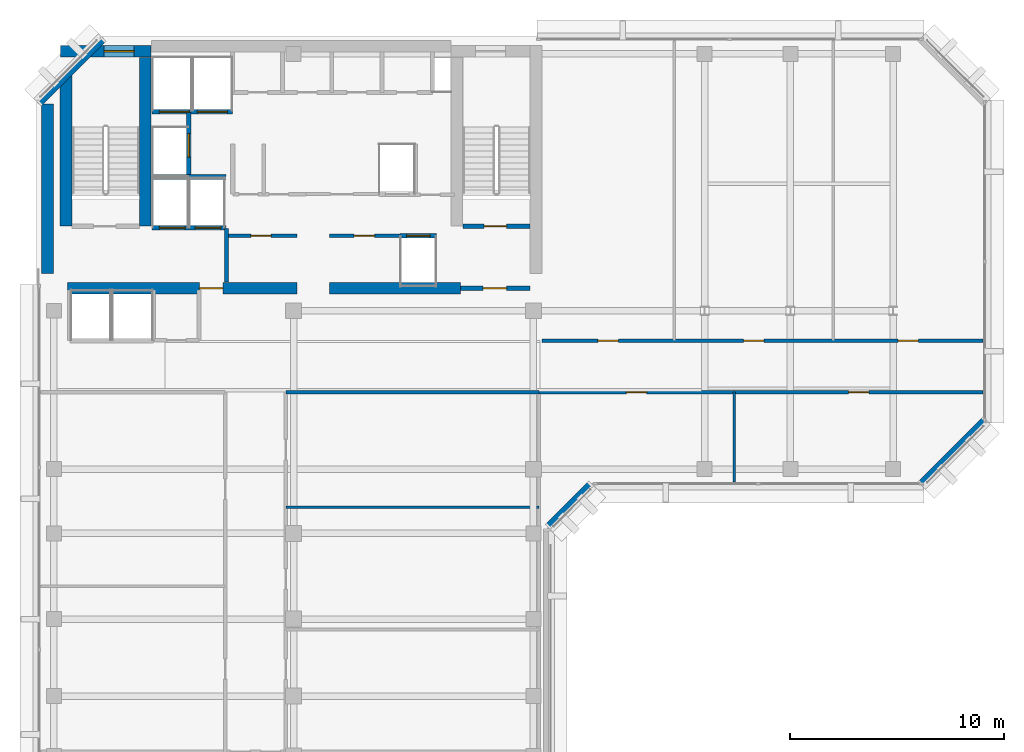
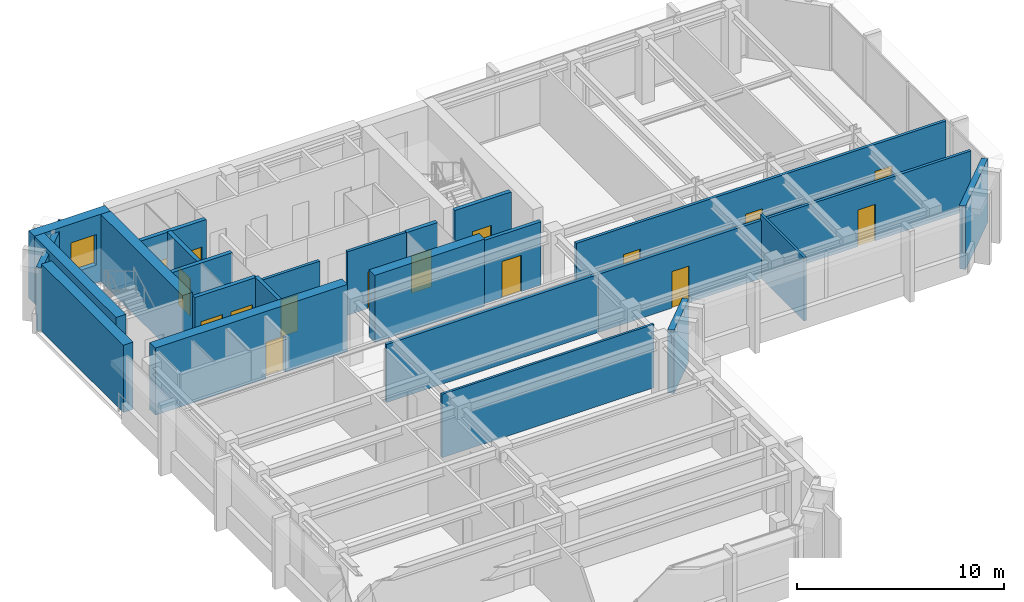
# One storey, part 7 of 11: 24 walls, 16 doors, 1 window, 17 openings.
"""IFC4 building model written with IfcOpenShell, lengths in metres."""

from ifc_helpers import new_model, si_unit, direction, frame, frame_2d, origin, place, context, subcontext, project, spatial, rectangle, extrude, material, layer, layer_set, type_object, element, fill, save


model = new_model("IFC4")

# Units and contexts
model_context = context("Model", 3, precision=1e-05, world=origin(), true_north=direction((0.0, 1.0)))
body_context = subcontext(model_context, "Body", "Model", "MODEL_VIEW")
ifc_project = project(units=[si_unit("LENGTHUNIT", "METRE"), si_unit("AREAUNIT", "SQUARE_METRE"), si_unit("VOLUMEUNIT", "CUBIC_METRE"), si_unit("PLANEANGLEUNIT", "RADIAN"), si_unit("MASSUNIT", "GRAM", prefix="KILO")], contexts=[model_context])

# Site, building, storey
site_placement = place(None, origin())
site = spatial("IfcSite", under=ifc_project, at=site_placement, CompositionType="ELEMENT")
building_placement = place(site_placement, origin())
building = spatial("IfcBuilding", under=site, at=building_placement, Name="Kefirva Bronze Tower", CompositionType="ELEMENT")
storey_placement = place(building_placement, frame((0.0, 0.0, 303.929931640625)))
storey = spatial("IfcBuildingStorey", under=building, at=storey_placement, Name="L74", CompositionType="ELEMENT", Elevation=303.929931640625)

# Walls
ifc_material_1 = material(Name="Gypsum acoustic partition")
ifc_layer_1 = layer(ifc_material_1, 0.1298828125, Name="Gypsum acoustic partition")
ifc_layer_set_1 = layer_set([ifc_layer_1], Name="Gypsum acoustic partition")
wall_type_1 = type_object("IfcWallType", Name="Acoustic Office Partition 130mm", PredefinedType="PARTITIONING", material=ifc_layer_set_1)
wall_1_placement = place(storey_placement, frame((11.639892578125, 24.02392578125, 0.0), z_axis=(0.0, 0.0, 1.0), x_axis=(1.0, 0.0, 0.0)))
element("IfcWall", 1, at=wall_1_placement, inside=storey, type_object=wall_type_1, Name="L74 Partition W-L74-SED2", PredefinedType="PARTITIONING", context=body_context, shape_type="SweptSolid", body=[
    extrude(rectangle(XDim=11.81005859375, YDim=0.1298828125, at=frame_2d((5.905029296875, 0.0))), origin(), (0.0, 0.0, 1.0), 3.739990234375),
])
wall_2_placement = place(storey_placement, frame((32.58447265625, 25.18994140625, 0.0), z_axis=(0.0, 0.0, 1.0), x_axis=(0.0, 1.0, 0.0)))
element("IfcWall", 2, at=wall_2_placement, inside=storey, type_object=wall_type_1, Name="L74 Partition W-L74-ESD1", PredefinedType="PARTITIONING", context=body_context, shape_type="SweptSolid", body=[
    extrude(rectangle(XDim=4.2099609375, YDim=0.1298828125, at=frame_2d((2.10498046875, 0.0))), origin(), (0.0, 0.0, 1.0), 3.739990234375),
])

# Wall, opening, door
ifc_layer_2 = layer(ifc_material_1, 0.14990234375, Name="Gypsum acoustic partition")
ifc_layer_set_2 = layer_set([ifc_layer_2], Name="Gypsum acoustic partition")
wall_type_2 = type_object("IfcWallType", Name="Executive Suite Partition 150mm", PredefinedType="PARTITIONING", material=ifc_layer_set_2)
wall_3_placement = place(storey_placement, frame((13.679931640625, 36.699951171875, 0.0), z_axis=(0.0, 0.0, 1.0), x_axis=(1.0, 0.0, 0.0)))
wall_3 = element("IfcWall", 3, at=wall_3_placement, inside=storey, type_object=wall_type_2, Name="L74 Partition W-L74-RECMP1", PredefinedType="PARTITIONING", context=body_context, shape_type="SweptSolid", body=[
    extrude(rectangle(XDim=3.280029296875, YDim=0.14990234375, at=frame_2d((1.64013671875, 0.0))), origin(), (0.0, 0.0, 1.0), 3.739990234375),
])
opening_1_placement = place(wall_3_placement, frame((1.14990234375, 0.0, 0.0)))
opening_1 = element("IfcOpeningElement", 4, at=opening_1_placement, cuts=wall_3, Name="Opening L74-D-RECMP1", PredefinedType="OPENING", context=body_context, shape_type="SweptSolid", body=[
    extrude(rectangle(XDim=0.949951171875, YDim=2.14990234375, at=frame_2d((0.47509765625, 1.074951171875))), frame((0.0, 0.0849609375, 0.0), z_axis=(0.0, -1.0, 0.0), x_axis=(1.0, 0.0, 0.0)), (0.0, 0.0, 1.0), 0.169921875),
])
ifc_material_2 = material(Name="Acoustic hardwood oak", Category="wood")
door_type_1 = type_object("IfcDoorType", Name="Office & Meeting Room Door 950x2150", OperationType="NOTDEFINED", PredefinedType="DOOR", material=ifc_material_2)
door_1_placement = place(opening_1_placement, origin())
door_1 = element("IfcDoor", 5, at=door_1_placement, inside=storey, type_object=door_type_1, Name="Door L74-D-RECMP1", OperationType="SINGLE_SWING_LEFT", OverallHeight=2.14990234375, OverallWidth=0.949951171875, PredefinedType="DOOR", context=body_context, shape_type="SweptSolid", body=[
    extrude(rectangle(XDim=0.949951171875, YDim=2.14990234375, at=frame_2d((0.47509765625, 1.074951171875))), frame((0.0, 0.02490234375, 0.0), z_axis=(0.0, -1.0, 0.0), x_axis=(1.0, 0.0, 0.0)), (0.0, 0.0, 1.0), 0.050048828125),
])
fill(opening_1, door_1)

ifc_material_3 = material(Name="Gypsum fireboard shaftwall")
ifc_layer_3 = layer(ifc_material_3, 0.219970703125, Name="Gypsum fireboard shaftwall")
ifc_layer_set_3 = layer_set([ifc_layer_3], Name="Gypsum fireboard shaftwall")
wall_type_3 = type_object("IfcWallType", Name="Fire-Rated Shaft Enclosure Wall 220mm", PredefinedType="PARTITIONING", material=ifc_layer_set_3)
wall_4_placement = place(storey_placement, frame((19.89990234375, 37.14990234375, 0.0), z_axis=(0.0, 0.0, 1.0), x_axis=(1.0, 0.0, 0.0)))
wall_4 = element("IfcWall", 6, at=wall_4_placement, inside=storey, type_object=wall_type_3, Name="L74 Partition W-L74-ST2S", PredefinedType="PARTITIONING", context=body_context, shape_type="SweptSolid", body=[
    extrude(rectangle(XDim=3.150146484375, YDim=0.219970703125, at=frame_2d((1.5751953125, 0.0))), origin(), (0.0, 0.0, 1.0), 3.739990234375),
])
opening_2_placement = place(wall_4_placement, frame((2.050048828125, 0.0, 0.0), z_axis=(0.0, 0.0, 1.0), x_axis=(-1.0, 0.0, 0.0)))
opening_2 = element("IfcOpeningElement", 7, at=opening_2_placement, cuts=wall_4, Name="Opening L74-D003", PredefinedType="OPENING", context=body_context, shape_type="SweptSolid", body=[
    extrude(rectangle(XDim=1.050048828125, YDim=2.14990234375, at=frame_2d((0.52490234375, 1.074951171875))), frame((0.0, 0.1201171875, 0.0), z_axis=(0.0, -1.0, 0.0), x_axis=(1.0, 0.0, 0.0)), (0.0, 0.0, 1.0), 0.239990234375),
])
ifc_material_4 = material(Name="Painted galvanized steel", Category="steel")
door_type_2 = type_object("IfcDoorType", Name="Fire Stair Enclosure Door 1050x2150 FD90S", OperationType="NOTDEFINED", PredefinedType="DOOR", material=ifc_material_4)
door_2_placement = place(opening_2_placement, origin())
door_2 = element("IfcDoor", 8, at=door_2_placement, inside=storey, type_object=door_type_2, Name="Door L74-D003", OperationType="SINGLE_SWING_RIGHT", OverallHeight=2.14990234375, OverallWidth=1.050048828125, PredefinedType="DOOR", context=body_context, shape_type="SweptSolid", body=[
    extrude(rectangle(XDim=1.050048828125, YDim=2.14990234375, at=frame_2d((0.52490234375, 1.074951171875))), frame((0.0, 0.02490234375, 0.0), z_axis=(0.0, -1.0, 0.0), x_axis=(1.0, 0.0, 0.0)), (0.0, 0.0, 1.0), 0.050048828125),
])
fill(opening_2, door_2)

# Wall, openings, doors
wall_5_placement = place(storey_placement, frame((5.3798828125, 37.080078125, 0.0), z_axis=(0.0, 0.0, 1.0), x_axis=(1.0, 0.0, 0.0)))
wall_5 = element("IfcWall", 9, at=wall_5_placement, inside=storey, type_object=wall_type_3, Name="L74 Partition W-L74-FFS", PredefinedType="PARTITIONING", context=body_context, shape_type="SweptSolid", body=[
    extrude(rectangle(XDim=3.460205078125, YDim=0.219970703125, at=frame_2d((1.72998046875, 0.0))), origin(), (0.0, 0.0, 1.0), 3.739990234375),
])
opening_3_placement = place(wall_5_placement, frame((1.550048828125, 0.0, 0.0), z_axis=(0.0, 0.0, 1.0), x_axis=(-1.0, 0.0, 0.0)))
opening_3 = element("IfcOpeningElement", 10, at=opening_3_placement, cuts=wall_5, Name="Opening L74-LD-FF1", PredefinedType="OPENING", context=body_context, shape_type="SweptSolid", body=[
    extrude(rectangle(XDim=1.199951171875, YDim=2.199951171875, at=frame_2d((0.60009765625, 1.10009765625))), frame((0.0, 0.1201171875, 0.0), z_axis=(0.0, -1.0, 0.0), x_axis=(1.0, 0.0, 0.0)), (0.0, 0.0, 1.0), 0.239990234375),
])
opening_4_placement = place(wall_5_placement, frame((3.219970703125, 0.0, 0.0), z_axis=(0.0, 0.0, 1.0), x_axis=(-1.0, 0.0, 0.0)))
opening_4 = element("IfcOpeningElement", 11, at=opening_4_placement, cuts=wall_5, Name="Opening L74-LD-FF2", PredefinedType="OPENING", context=body_context, shape_type="SweptSolid", body=[
    extrude(rectangle(XDim=1.199951171875, YDim=2.199951171875, at=frame_2d((0.60009765625, 1.10009765625))), frame((0.0, 0.1201171875, 0.0), z_axis=(0.0, -1.0, 0.0), x_axis=(1.0, 0.0, 0.0)), (0.0, 0.0, 1.0), 0.239990234375),
])
ifc_material_5 = material(Name="Stainless steel 316", Category="steel")
door_type_3 = type_object("IfcDoorType", Name="Firefighting Lift Sliding Door 1200x2200", OperationType="SLIDING_TO_RIGHT", PredefinedType="DOOR", material=ifc_material_5)
door_3_placement = place(opening_3_placement, origin())
door_3 = element("IfcDoor", 12, at=door_3_placement, inside=storey, type_object=door_type_3, Name="Door L74-LD-FF1", OperationType="SLIDING_TO_RIGHT", OverallHeight=2.199951171875, OverallWidth=1.199951171875, PredefinedType="DOOR", context=body_context, shape_type="SweptSolid", body=[
    extrude(rectangle(XDim=1.199951171875, YDim=2.199951171875, at=frame_2d((0.60009765625, 1.10009765625))), frame((0.0, 0.02490234375, 0.0), z_axis=(0.0, -1.0, 0.0), x_axis=(1.0, 0.0, 0.0)), (0.0, 0.0, 1.0), 0.050048828125),
])
fill(opening_3, door_3)
door_4_placement = place(opening_4_placement, origin())
door_4 = element("IfcDoor", 13, at=door_4_placement, inside=storey, type_object=door_type_3, Name="Door L74-LD-FF2", OperationType="SLIDING_TO_RIGHT", OverallHeight=2.199951171875, OverallWidth=1.199951171875, PredefinedType="DOOR", context=body_context, shape_type="SweptSolid", body=[
    extrude(rectangle(XDim=1.199951171875, YDim=2.199951171875, at=frame_2d((0.60009765625, 1.10009765625))), frame((0.0, 0.02490234375, 0.0), z_axis=(0.0, -1.0, 0.0), x_axis=(1.0, 0.0, 0.0)), (0.0, 0.0, 1.0), 0.050048828125),
])
fill(opening_4, door_4)

# Wall
wall_6_placement = place(storey_placement, frame((5.3798828125, 39.449951171875, 0.0), z_axis=(0.0, 0.0, 1.0), x_axis=(1.0, 0.0, 0.0)))
element("IfcWall", 14, at=wall_6_placement, inside=storey, type_object=wall_type_3, Name="L74 Partition W-L74-FFN", PredefinedType="PARTITIONING", context=body_context, shape_type="SweptSolid", body=[
    extrude(rectangle(XDim=3.460205078125, YDim=0.219970703125, at=frame_2d((1.72998046875, 0.0))), origin(), (0.0, 0.0, 1.0), 3.739990234375),
])

# Wall, openings, doors
wall_7_placement = place(storey_placement, frame((5.3798828125, 42.5, 0.0), z_axis=(0.0, 0.0, 1.0), x_axis=(1.0, 0.0, 0.0)))
wall_7 = element("IfcWall", 15, at=wall_7_placement, inside=storey, type_object=wall_type_3, Name="L74 Partition W-L74-SVS", PredefinedType="PARTITIONING", context=body_context, shape_type="SweptSolid", body=[
    extrude(rectangle(XDim=3.77001953125, YDim=0.219970703125, at=frame_2d((1.885009765625, 0.0))), origin(), (0.0, 0.0, 1.0), 3.739990234375),
])
opening_5_placement = place(wall_7_placement, frame((1.75, 0.0, 0.0), z_axis=(0.0, 0.0, 1.0), x_axis=(-1.0, 0.0, 0.0)))
opening_5 = element("IfcOpeningElement", 16, at=opening_5_placement, cuts=wall_7, Name="Opening L74-LD-SV1", PredefinedType="OPENING", context=body_context, shape_type="SweptSolid", body=[
    extrude(rectangle(XDim=1.39990234375, YDim=2.199951171875, at=frame_2d((0.699951171875, 1.10009765625))), frame((0.0, 0.1201171875, 0.0), z_axis=(0.0, -1.0, 0.0), x_axis=(1.0, 0.0, 0.0)), (0.0, 0.0, 1.0), 0.239990234375),
])
opening_6_placement = place(wall_7_placement, frame((3.52978515625, 0.0, 0.0), z_axis=(0.0, 0.0, 1.0), x_axis=(-1.0, 0.0, 0.0)))
opening_6 = element("IfcOpeningElement", 17, at=opening_6_placement, cuts=wall_7, Name="Opening L74-LD-SV2", PredefinedType="OPENING", context=body_context, shape_type="SweptSolid", body=[
    extrude(rectangle(XDim=1.39990234375, YDim=2.199951171875, at=frame_2d((0.699951171875, 1.10009765625))), frame((0.0, 0.1201171875, 0.0), z_axis=(0.0, -1.0, 0.0), x_axis=(1.0, 0.0, 0.0)), (0.0, 0.0, 1.0), 0.239990234375),
])
door_type_4 = type_object("IfcDoorType", Name="Goods Lift Bi-Parting Sliding Door 1400x2200", OperationType="SLIDING_TO_LEFT", PredefinedType="DOOR", material=ifc_material_5)
door_5_placement = place(opening_5_placement, origin())
door_5 = element("IfcDoor", 18, at=door_5_placement, inside=storey, type_object=door_type_4, Name="Door L74-LD-SV1", OperationType="SLIDING_TO_LEFT", OverallHeight=2.199951171875, OverallWidth=1.39990234375, PredefinedType="DOOR", context=body_context, shape_type="SweptSolid", body=[
    extrude(rectangle(XDim=1.39990234375, YDim=2.199951171875, at=frame_2d((0.699951171875, 1.10009765625))), frame((0.0, 0.02490234375, 0.0), z_axis=(0.0, -1.0, 0.0), x_axis=(1.0, 0.0, 0.0)), (0.0, 0.0, 1.0), 0.050048828125),
])
fill(opening_5, door_5)
door_6_placement = place(opening_6_placement, origin())
door_6 = element("IfcDoor", 19, at=door_6_placement, inside=storey, type_object=door_type_4, Name="Door L74-LD-SV2", OperationType="SLIDING_TO_LEFT", OverallHeight=2.199951171875, OverallWidth=1.39990234375, PredefinedType="DOOR", context=body_context, shape_type="SweptSolid", body=[
    extrude(rectangle(XDim=1.39990234375, YDim=2.199951171875, at=frame_2d((0.699951171875, 1.10009765625))), frame((0.0, 0.02490234375, 0.0), z_axis=(0.0, -1.0, 0.0), x_axis=(1.0, 0.0, 0.0)), (0.0, 0.0, 1.0), 0.050048828125),
])
fill(opening_6, door_6)

# Wall, opening, door
wall_8_placement = place(storey_placement, frame((7.10009765625, 39.52001953125, 0.0), z_axis=(0.0, 0.0, 1.0), x_axis=(0.0, 1.0, 0.0)))
wall_8 = element("IfcWall", 20, at=wall_8_placement, inside=storey, type_object=wall_type_3, Name="L74 Partition W-L74-HP3E", PredefinedType="PARTITIONING", context=body_context, shape_type="SweptSolid", body=[
    extrude(rectangle(XDim=2.929931640625, YDim=0.219970703125, at=frame_2d((1.46484375, 0.0))), origin(), (0.0, 0.0, 1.0), 3.739990234375),
])
opening_7_placement = place(wall_8_placement, frame((0.85009765625, 0.0, 0.0)))
opening_7 = element("IfcOpeningElement", 21, at=opening_7_placement, cuts=wall_8, Name="Opening L74-LD-HP3", PredefinedType="OPENING", context=body_context, shape_type="SweptSolid", body=[
    extrude(rectangle(XDim=1.10009765625, YDim=2.199951171875, at=frame_2d((0.550048828125, 1.10009765625))), frame((0.0, 0.1201171875, 0.0), z_axis=(0.0, -1.0, 0.0), x_axis=(1.0, 0.0, 0.0)), (0.0, 0.0, 1.0), 0.239990234375),
])
door_type_5 = type_object("IfcDoorType", Name="Passenger Lift Sliding Landing Door 1100x2200", OperationType="SLIDING_TO_LEFT", PredefinedType="DOOR", material=ifc_material_5)
door_7_placement = place(opening_7_placement, origin())
door_7 = element("IfcDoor", 22, at=door_7_placement, inside=storey, type_object=door_type_5, Name="Door L74-LD-HP3", OperationType="SLIDING_TO_LEFT", OverallHeight=2.199951171875, OverallWidth=1.10009765625, PredefinedType="DOOR", context=body_context, shape_type="SweptSolid", body=[
    extrude(rectangle(XDim=1.10009765625, YDim=2.199951171875, at=frame_2d((0.550048828125, 1.10009765625))), frame((0.0, 0.02490234375, 0.0), z_axis=(0.0, -1.0, 0.0), x_axis=(1.0, 0.0, 0.0)), (0.0, 0.0, 1.0), 0.050048828125),
])
fill(opening_7, door_7)

wall_9_placement = place(storey_placement, frame((16.97998046875, 36.699951171875, 0.0), z_axis=(0.0, 0.0, 1.0), x_axis=(1.0, 0.0, 0.0)))
wall_9 = element("IfcWall", 23, at=wall_9_placement, inside=storey, type_object=wall_type_3, Name="L74 Partition W-L74-HPS", PredefinedType="PARTITIONING", context=body_context, shape_type="SweptSolid", body=[
    extrude(rectangle(XDim=1.699951171875, YDim=0.219970703125, at=frame_2d((0.85009765625, 0.0))), origin(), (0.0, 0.0, 1.0), 3.739990234375),
])
opening_8_placement = place(wall_9_placement, frame((0.300048828125, 0.0, 0.0)))
opening_8 = element("IfcOpeningElement", 24, at=opening_8_placement, cuts=wall_9, Name="Opening L74-LD-HP1", PredefinedType="OPENING", context=body_context, shape_type="SweptSolid", body=[
    extrude(rectangle(XDim=1.10009765625, YDim=2.199951171875, at=frame_2d((0.550048828125, 1.10009765625))), frame((0.0, 0.1201171875, 0.0), z_axis=(0.0, -1.0, 0.0), x_axis=(1.0, 0.0, 0.0)), (0.0, 0.0, 1.0), 0.239990234375),
])
door_8_placement = place(opening_8_placement, origin())
door_8 = element("IfcDoor", 25, at=door_8_placement, inside=storey, type_object=door_type_5, Name="Door L74-LD-HP1", OperationType="SLIDING_TO_LEFT", OverallHeight=2.199951171875, OverallWidth=1.10009765625, PredefinedType="DOOR", context=body_context, shape_type="SweptSolid", body=[
    extrude(rectangle(XDim=1.10009765625, YDim=2.199951171875, at=frame_2d((0.550048828125, 1.10009765625))), frame((0.0, 0.02490234375, 0.0), z_axis=(0.0, -1.0, 0.0), x_axis=(1.0, 0.0, 0.0)), (0.0, 0.0, 1.0), 0.050048828125),
])
fill(opening_8, door_8)

# Wall
ifc_material_6 = material(Name="Gypsum fireboard barrier")
ifc_layer_4 = layer(ifc_material_6, 0.199951171875, Name="Gypsum fireboard barrier")
ifc_layer_set_4 = layer_set([ifc_layer_4], Name="Gypsum fireboard barrier")
wall_type_4 = type_object("IfcWallType", Name="Firefighting Lobby Barrier Wall 200mm", PredefinedType="PARTITIONING", material=ifc_layer_set_4)
wall_10_placement = place(storey_placement, frame((8.860107421875, 34.550048828125, 0.0), z_axis=(0.0, 0.0, 1.0), x_axis=(0.0, 1.0, 0.0)))
element("IfcWall", 26, at=wall_10_placement, inside=storey, type_object=wall_type_4, Name="L74 Partition W-L74-FFLE", PredefinedType="PARTITIONING", context=body_context, shape_type="SweptSolid", body=[
    extrude(rectangle(XDim=2.5, YDim=0.199951171875, at=frame_2d((1.25, 0.0))), origin(), (0.0, 0.0, 1.0), 3.739990234375),
])

# Wall, opening, door
wall_11_placement = place(storey_placement, frame((19.800048828125, 34.25, 0.0), z_axis=(0.0, 0.0, 1.0), x_axis=(1.0, 0.0, 0.0)))
wall_11 = element("IfcWall", 27, at=wall_11_placement, inside=storey, type_object=wall_type_4, Name="L74 Partition W-L74-ST2F", PredefinedType="PARTITIONING", context=body_context, shape_type="SweptSolid", body=[
    extrude(rectangle(XDim=3.25, YDim=0.199951171875, at=frame_2d((1.625, 0.0))), origin(), (0.0, 0.0, 1.0), 3.739990234375),
])
opening_9_placement = place(wall_11_placement, frame((2.150146484375, 0.0, 0.0), z_axis=(0.0, 0.0, 1.0), x_axis=(-1.0, 0.0, 0.0)))
opening_9 = element("IfcOpeningElement", 28, at=opening_9_placement, cuts=wall_11, Name="Opening L74-D004", PredefinedType="OPENING", context=body_context, shape_type="SweptSolid", body=[
    extrude(rectangle(XDim=1.10009765625, YDim=2.14990234375, at=frame_2d((0.550048828125, 1.074951171875))), frame((0.0, 0.10986328125, 0.0), z_axis=(0.0, -1.0, 0.0), x_axis=(1.0, 0.0, 0.0)), (0.0, 0.0, 1.0), 0.219970703125),
])
door_type_6 = type_object("IfcDoorType", Name="Firefighting Lobby Smoke Door 1100x2150 FD60S", OperationType="NOTDEFINED", PredefinedType="DOOR", material=ifc_material_4)
door_9_placement = place(opening_9_placement, origin())
door_9 = element("IfcDoor", 29, at=door_9_placement, inside=storey, type_object=door_type_6, Name="Door L74-D004", OperationType="SINGLE_SWING_LEFT", OverallHeight=2.14990234375, OverallWidth=1.10009765625, PredefinedType="DOOR", context=body_context, shape_type="SweptSolid", body=[
    extrude(rectangle(XDim=1.10009765625, YDim=2.14990234375, at=frame_2d((0.550048828125, 1.074951171875))), frame((0.0, 0.02490234375, 0.0), z_axis=(0.0, -1.0, 0.0), x_axis=(1.0, 0.0, 0.0)), (0.0, 0.0, 1.0), 0.050048828125),
])
fill(opening_9, door_9)

# Walls
ifc_material_7 = material(Name="Precast concrete C40/50", Category="concrete")
ifc_layer_5 = layer(ifc_material_7, 0.320068359375, Name="Precast concrete C40/50")
ifc_layer_set_5 = layer_set([ifc_layer_5], Name="Precast concrete C40/50")
wall_type_5 = type_object("IfcWallType", Name="Precast Insulated Exterior Wall 320mm", PredefinedType="SOLIDWALL", material=ifc_layer_set_5)
wall_12_placement = place(storey_placement, frame((23.92578125, 23.152099609375, 0.0), z_axis=(0.0, 0.0, 1.0), x_axis=(0.707106781187, 0.707106781187, 0.0)))
element("IfcWall", 30, at=wall_12_placement, inside=storey, type_object=wall_type_5, Name="L74 Exterior Facade Wall 3", PredefinedType="SOLIDWALL", context=body_context, shape_type="SweptSolid", body=[
    extrude(rectangle(XDim=2.71826171875, YDim=0.320068359375, at=frame_2d((1.359130859375, 0.0))), origin(), (0.0, 0.0, 1.0), 3.739990234375),
])
for number, where, z_axis, x_axis, name in (
    (31, (41.32568359375, 25.152099609375, 0.0), (0.0, 0.0, 1.0), (0.707136318428, 0.707077242712, 0.0), "L74 Exterior Facade Wall 4"),
    (32, (3.07421875, 45.847900390625, 0.0), (0.0, 0.0, 1.0), (-0.707106781187, -0.707106781187, 0.0), "L74 Exterior Facade Wall 6"),
):
    element("IfcWall", number, at=place(storey_placement, frame(where, z_axis=z_axis, x_axis=x_axis)), inside=storey, type_object=wall_type_5, Name=name, PredefinedType="SOLIDWALL", context=body_context, shape_type="SweptSolid", body=[
        extrude(rectangle(XDim=4.132568359375, YDim=0.320068359375, at=frame_2d((2.06640625, 0.0))), origin(), (0.0, 0.0, 1.0), 3.739990234375),
    ])

# Wall, opening, door
ifc_layer_6 = layer(ifc_material_1, 0.159912109375, Name="Gypsum acoustic partition")
ifc_layer_set_6 = layer_set([ifc_layer_6], Name="Gypsum acoustic partition")
wall_type_6 = type_object("IfcWallType", Name="Protected Corridor Partition 160mm", PredefinedType="PARTITIONING", material=ifc_layer_set_6)
wall_13_placement = place(storey_placement, frame((8.89990234375, 36.699951171875, 0.0), z_axis=(0.0, 0.0, 1.0), x_axis=(1.0, 0.0, 0.0)))
wall_13 = element("IfcWall", 33, at=wall_13_placement, inside=storey, type_object=wall_type_6, Name="L74 Partition W-L74-RECLP1", PredefinedType="PARTITIONING", context=body_context, shape_type="SweptSolid", body=[
    extrude(rectangle(XDim=3.25, YDim=0.159912109375, at=frame_2d((1.625, 0.0))), origin(), (0.0, 0.0, 1.0), 3.739990234375),
])
opening_10_placement = place(wall_13_placement, frame((1.10009765625, 0.0, 0.0)))
opening_10 = element("IfcOpeningElement", 34, at=opening_10_placement, cuts=wall_13, Name="Opening L74-D-RECLP1", PredefinedType="OPENING", context=body_context, shape_type="SweptSolid", body=[
    extrude(rectangle(XDim=0.949951171875, YDim=2.14990234375, at=frame_2d((0.47509765625, 1.074951171875))), frame((0.0, 0.08984375, 0.0), z_axis=(0.0, -1.0, 0.0), x_axis=(1.0, 0.0, 0.0)), (0.0, 0.0, 1.0), 0.179931640625),
])
door_10_placement = place(opening_10_placement, origin())
door_10 = element("IfcDoor", 35, at=door_10_placement, inside=storey, type_object=door_type_1, Name="Door L74-D-RECLP1", OperationType="SINGLE_SWING_RIGHT", OverallHeight=2.14990234375, OverallWidth=0.949951171875, PredefinedType="DOOR", context=body_context, shape_type="SweptSolid", body=[
    extrude(rectangle(XDim=0.949951171875, YDim=2.14990234375, at=frame_2d((0.47509765625, 1.074951171875))), frame((0.0, 0.02490234375, 0.0), z_axis=(0.0, -1.0, 0.0), x_axis=(1.0, 0.0, 0.0)), (0.0, 0.0, 1.0), 0.050048828125),
])
fill(opening_10, door_10)

# Wall
wall_14_placement = place(storey_placement, frame((11.639892578125, 29.39990234375, 0.0), z_axis=(0.0, 0.0, 1.0), x_axis=(1.0, 0.0, 0.0)))
element("IfcWall", 36, at=wall_14_placement, inside=storey, type_object=wall_type_6, Name="L74 Partition W-L74-NET", PredefinedType="PARTITIONING", context=body_context, shape_type="SweptSolid", body=[
    extrude(rectangle(XDim=11.81005859375, YDim=0.159912109375, at=frame_2d((5.905029296875, 0.0))), origin(), (0.0, 0.0, 1.0), 3.425048828125),
])

# Wall, openings, doors
wall_15_placement = place(storey_placement, frame((23.449951171875, 29.39990234375, 0.0), z_axis=(0.0, 0.0, 1.0), x_axis=(1.0, 0.0, 0.0)))
wall_15 = element("IfcWall", 37, at=wall_15_placement, inside=storey, type_object=wall_type_6, Name="L74 Partition W-L74-EWS", PredefinedType="PARTITIONING", context=body_context, shape_type="SweptSolid", body=[
    extrude(rectangle(XDim=20.760009765625, YDim=0.159912109375, at=frame_2d((10.3798828125, 0.0))), origin(), (0.0, 0.0, 1.0), 3.425048828125),
])
opening_11_placement = place(wall_15_placement, frame((5.042236328125, 0.0, 0.0), z_axis=(0.0, 0.0, 1.0), x_axis=(-1.0, 0.0, 0.0)))
opening_11 = element("IfcOpeningElement", 38, at=opening_11_placement, cuts=wall_15, Name="Opening L74-D-ES1", PredefinedType="OPENING", context=body_context, shape_type="SweptSolid", body=[
    extrude(rectangle(XDim=0.949951171875, YDim=2.14990234375, at=frame_2d((0.47509765625, 1.074951171875))), frame((0.0, 0.08984375, 0.0), z_axis=(0.0, -1.0, 0.0), x_axis=(1.0, 0.0, 0.0)), (0.0, 0.0, 1.0), 0.179931640625),
])
opening_12_placement = place(wall_15_placement, frame((15.422119140625, 0.0, 0.0), z_axis=(0.0, 0.0, 1.0), x_axis=(-1.0, 0.0, 0.0)))
opening_12 = element("IfcOpeningElement", 39, at=opening_12_placement, cuts=wall_15, Name="Opening L74-D-ES2", PredefinedType="OPENING", context=body_context, shape_type="SweptSolid", body=[
    extrude(rectangle(XDim=0.949951171875, YDim=2.14990234375, at=frame_2d((0.47509765625, 1.074951171875))), frame((0.0, 0.08984375, 0.0), z_axis=(0.0, -1.0, 0.0), x_axis=(1.0, 0.0, 0.0)), (0.0, 0.0, 1.0), 0.179931640625),
])
door_11_placement = place(opening_11_placement, origin())
door_11 = element("IfcDoor", 40, at=door_11_placement, inside=storey, type_object=door_type_1, Name="Door L74-D-ES1", OperationType="SINGLE_SWING_RIGHT", OverallHeight=2.14990234375, OverallWidth=0.949951171875, PredefinedType="DOOR", context=body_context, shape_type="SweptSolid", body=[
    extrude(rectangle(XDim=0.949951171875, YDim=2.14990234375, at=frame_2d((0.47509765625, 1.074951171875))), frame((0.0, 0.02490234375, 0.0), z_axis=(0.0, -1.0, 0.0), x_axis=(1.0, 0.0, 0.0)), (0.0, 0.0, 1.0), 0.050048828125),
])
fill(opening_11, door_11)
door_12_placement = place(opening_12_placement, origin())
door_12 = element("IfcDoor", 41, at=door_12_placement, inside=storey, type_object=door_type_1, Name="Door L74-D-ES2", OperationType="SINGLE_SWING_LEFT", OverallHeight=2.14990234375, OverallWidth=0.949951171875, PredefinedType="DOOR", context=body_context, shape_type="SweptSolid", body=[
    extrude(rectangle(XDim=0.949951171875, YDim=2.14990234375, at=frame_2d((0.47509765625, 1.074951171875))), frame((0.0, 0.02490234375, 0.0), z_axis=(0.0, -1.0, 0.0), x_axis=(1.0, 0.0, 0.0)), (0.0, 0.0, 1.0), 0.050048828125),
])
fill(opening_12, door_12)

wall_16_placement = place(storey_placement, frame((23.60009765625, 31.800048828125, 0.0), z_axis=(0.0, 0.0, 1.0), x_axis=(1.0, 0.0, 0.0)))
wall_16 = element("IfcWall", 42, at=wall_16_placement, inside=storey, type_object=wall_type_6, Name="L74 Partition W-L74-EWN", PredefinedType="PARTITIONING", context=body_context, shape_type="SweptSolid", body=[
    extrude(rectangle(XDim=20.60986328125, YDim=0.159912109375, at=frame_2d((10.304931640625, 0.0))), origin(), (0.0, 0.0, 1.0), 3.739990234375),
])
opening_13_placement = place(wall_16_placement, frame((2.616455078125, 0.0, 0.0)))
opening_13 = element("IfcOpeningElement", 43, at=opening_13_placement, cuts=wall_16, Name="Opening L74-D-EN1", PredefinedType="OPENING", context=body_context, shape_type="SweptSolid", body=[
    extrude(rectangle(XDim=0.949951171875, YDim=2.14990234375, at=frame_2d((0.47509765625, 1.074951171875))), frame((0.0, 0.08984375, 0.0), z_axis=(0.0, -1.0, 0.0), x_axis=(1.0, 0.0, 0.0)), (0.0, 0.0, 1.0), 0.179931640625),
])
opening_14_placement = place(wall_16_placement, frame((9.417724609375, 0.0, 0.0)))
opening_14 = element("IfcOpeningElement", 44, at=opening_14_placement, cuts=wall_16, Name="Opening L74-D-EN2", PredefinedType="OPENING", context=body_context, shape_type="SweptSolid", body=[
    extrude(rectangle(XDim=0.949951171875, YDim=2.14990234375, at=frame_2d((0.47509765625, 1.074951171875))), frame((0.0, 0.08984375, 0.0), z_axis=(0.0, -1.0, 0.0), x_axis=(1.0, 0.0, 0.0)), (0.0, 0.0, 1.0), 0.179931640625),
])
opening_15_placement = place(wall_16_placement, frame((16.63134765625, 0.0, 0.0)))
opening_15 = element("IfcOpeningElement", 45, at=opening_15_placement, cuts=wall_16, Name="Opening L74-D-EN3", PredefinedType="OPENING", context=body_context, shape_type="SweptSolid", body=[
    extrude(rectangle(XDim=0.949951171875, YDim=2.14990234375, at=frame_2d((0.47509765625, 1.074951171875))), frame((0.0, 0.08984375, 0.0), z_axis=(0.0, -1.0, 0.0), x_axis=(1.0, 0.0, 0.0)), (0.0, 0.0, 1.0), 0.179931640625),
])
door_13_placement = place(opening_13_placement, origin())
door_13 = element("IfcDoor", 46, at=door_13_placement, inside=storey, type_object=door_type_1, Name="Door L74-D-EN1", OperationType="SINGLE_SWING_RIGHT", OverallHeight=2.14990234375, OverallWidth=0.949951171875, PredefinedType="DOOR", context=body_context, shape_type="SweptSolid", body=[
    extrude(rectangle(XDim=0.949951171875, YDim=2.14990234375, at=frame_2d((0.47509765625, 1.074951171875))), frame((0.0, 0.02490234375, 0.0), z_axis=(0.0, -1.0, 0.0), x_axis=(1.0, 0.0, 0.0)), (0.0, 0.0, 1.0), 0.050048828125),
])
fill(opening_13, door_13)
door_14_placement = place(opening_14_placement, origin())
door_14 = element("IfcDoor", 47, at=door_14_placement, inside=storey, type_object=door_type_1, Name="Door L74-D-EN2", OperationType="SINGLE_SWING_LEFT", OverallHeight=2.14990234375, OverallWidth=0.949951171875, PredefinedType="DOOR", context=body_context, shape_type="SweptSolid", body=[
    extrude(rectangle(XDim=0.949951171875, YDim=2.14990234375, at=frame_2d((0.47509765625, 1.074951171875))), frame((0.0, 0.02490234375, 0.0), z_axis=(0.0, -1.0, 0.0), x_axis=(1.0, 0.0, 0.0)), (0.0, 0.0, 1.0), 0.050048828125),
])
fill(opening_14, door_14)
door_15_placement = place(opening_15_placement, origin())
door_15 = element("IfcDoor", 48, at=door_15_placement, inside=storey, type_object=door_type_1, Name="Door L74-D-EN3", OperationType="SINGLE_SWING_RIGHT", OverallHeight=2.14990234375, OverallWidth=0.949951171875, PredefinedType="DOOR", context=body_context, shape_type="SweptSolid", body=[
    extrude(rectangle(XDim=0.949951171875, YDim=2.14990234375, at=frame_2d((0.47509765625, 1.074951171875))), frame((0.0, 0.02490234375, 0.0), z_axis=(0.0, -1.0, 0.0), x_axis=(1.0, 0.0, 0.0)), (0.0, 0.0, 1.0), 0.050048828125),
])
fill(opening_15, door_15)

# Wall
ifc_material_8 = material(Name="Concrete C50/60", Category="concrete")
ifc_layer_7 = layer(ifc_material_8, 0.550048828125, Name="Concrete C50/60")
ifc_layer_set_7 = layer_set([ifc_layer_7], Name="Concrete C50/60")
wall_type_7 = type_object("IfcWallType", Name="RC Rear Core Exterior Wall 550mm", PredefinedType="SHEAR", material=ifc_layer_set_7)
wall_17_placement = place(storey_placement, frame((0.5, 34.949951171875, 0.0), z_axis=(0.0, 0.0, 1.0), x_axis=(0.0, 1.0, 0.0)))
element("IfcWall", 49, at=wall_17_placement, inside=storey, type_object=wall_type_7, Name="L74 Rear Core West Shear Wall", PredefinedType="SHEAR", context=body_context, shape_type="SweptSolid", body=[
    extrude(rectangle(XDim=7.900146484375, YDim=0.550048828125, at=frame_2d((3.9501953125, 0.0))), origin(), (0.0, 0.0, 1.0), 3.9599609375),
])

# Wall, opening, window
wall_18_placement = place(storey_placement, frame((1.10009765625, 45.320068359375, 0.0), z_axis=(0.0, 0.0, 1.0), x_axis=(1.0, 0.0, 0.0)))
wall_18 = element("IfcWall", 50, at=wall_18_placement, inside=storey, type_object=wall_type_7, Name="L74 Stair 1 North Shear Wall", PredefinedType="SHEAR", context=body_context, shape_type="SweptSolid", body=[
    extrude(rectangle(XDim=4.239990234375, YDim=0.550048828125, at=frame_2d((2.1201171875, 0.0))), origin(), (0.0, 0.0, 1.0), 3.9599609375),
])
opening_16_placement = place(wall_18_placement, frame((2.050048828125, 0.0, 1.050048828125)))
opening_16 = element("IfcOpeningElement", 51, at=opening_16_placement, cuts=wall_18, Name="Opening WN-03", PredefinedType="OPENING", context=body_context, shape_type="SweptSolid", body=[
    extrude(rectangle(XDim=1.39990234375, YDim=1.800048828125, at=frame_2d((0.699951171875, 0.89990234375))), frame((0.0, 0.28515625, 0.0), z_axis=(0.0, -1.0, 0.0), x_axis=(1.0, 0.0, 0.0)), (0.0, 0.0, 1.0), 0.570068359375),
])
ifc_material_9 = material(Name="Laminated low-E double glazing", Category="glass")
window_type = type_object("IfcWindowType", Name="Rear-Core Stair Daylight Window 1400x1800", PartitioningType="SINGLE_PANEL", PredefinedType="WINDOW", material=ifc_material_9)
window_placement = place(opening_16_placement, origin())
window = element("IfcWindow", 52, at=window_placement, inside=storey, type_object=window_type, Name="L74 Stair 1 Daylight Window", OverallHeight=1.800048828125, OverallWidth=1.39990234375, PartitioningType="SINGLE_PANEL", PredefinedType="WINDOW", context=body_context, shape_type="SweptSolid", body=[
    extrude(rectangle(XDim=1.39990234375, YDim=1.800048828125, at=frame_2d((0.699951171875, 0.89990234375))), frame((0.0, 0.030029296875, 0.0), z_axis=(0.0, -1.0, 0.0), x_axis=(1.0, 0.0, 0.0)), (0.0, 0.0, 1.0), 0.06005859375),
])
fill(opening_16, window)

# Wall, opening, door
ifc_layer_8 = layer(ifc_material_8, 0.550048828125, Name="Concrete C50/60")
ifc_layer_set_8 = layer_set([ifc_layer_8], Name="Concrete C50/60")
wall_type_8 = type_object("IfcWallType", Name="RC Rear Core Interior Wall 550mm", PredefinedType="SHEAR", material=ifc_layer_set_8)
wall_19_placement = place(storey_placement, frame((1.449951171875, 34.25, 0.0), z_axis=(0.0, 0.0, 1.0), x_axis=(1.0, 0.0, 0.0)))
wall_19 = element("IfcWall", 53, at=wall_19_placement, inside=storey, type_object=wall_type_8, Name="L74 Rear Core South-West Shear Wall", PredefinedType="SHEAR", context=body_context, shape_type="SweptSolid", body=[
    extrude(rectangle(XDim=10.7099609375, YDim=0.550048828125, at=frame_2d((5.35498046875, 0.0))), origin(), (0.0, 0.0, 1.0), 3.9599609375),
])
opening_17_placement = place(wall_19_placement, frame((7.25, 0.0, 0.0), z_axis=(0.0, 0.0, 1.0), x_axis=(-1.0, 0.0, 0.0)))
opening_17 = element("IfcOpeningElement", 54, at=opening_17_placement, cuts=wall_19, Name="Opening L74-D002", PredefinedType="OPENING", context=body_context, shape_type="SweptSolid", body=[
    extrude(rectangle(XDim=1.10009765625, YDim=2.14990234375, at=frame_2d((0.550048828125, 1.074951171875))), frame((0.0, 0.28515625, 0.0), z_axis=(0.0, -1.0, 0.0), x_axis=(1.0, 0.0, 0.0)), (0.0, 0.0, 1.0), 0.570068359375),
])
door_16_placement = place(opening_17_placement, origin())
door_16 = element("IfcDoor", 55, at=door_16_placement, inside=storey, type_object=door_type_6, Name="Door L74-D002", OperationType="SINGLE_SWING_LEFT", OverallHeight=2.14990234375, OverallWidth=1.10009765625, PredefinedType="DOOR", context=body_context, shape_type="SweptSolid", body=[
    extrude(rectangle(XDim=1.10009765625, YDim=2.14990234375, at=frame_2d((0.550048828125, 1.074951171875))), frame((0.0, 0.02490234375, 0.0), z_axis=(0.0, -1.0, 0.0), x_axis=(1.0, 0.0, 0.0)), (0.0, 0.0, 1.0), 0.050048828125),
])
fill(opening_17, door_16)

# Walls
wall_20_placement = place(storey_placement, frame((13.679931640625, 34.25, 0.0), z_axis=(0.0, 0.0, 1.0), x_axis=(1.0, 0.0, 0.0)))
element("IfcWall", 56, at=wall_20_placement, inside=storey, type_object=wall_type_8, Name="L74 Rear Core South-East Shear Wall", PredefinedType="SHEAR", context=body_context, shape_type="SweptSolid", body=[
    extrude(rectangle(XDim=6.1201171875, YDim=0.550048828125, at=frame_2d((3.06005859375, 0.0))), origin(), (0.0, 0.0, 1.0), 3.9599609375),
])
for number, where, z_axis, x_axis, name in (
    (57, (1.3701171875, 37.14990234375, 0.0), (0.0, 0.0, 1.0), (0.0, 1.0, 0.0), "L74 Stair 1 West Shear Wall"),
    (58, (5.070068359375, 37.14990234375, 0.0), (0.0, 0.0, 1.0), (0.0, 1.0, 0.0), "L74 Stair 1 East Shear Wall"),
):
    element("IfcWall", number, at=place(storey_placement, frame(where, z_axis=z_axis, x_axis=x_axis)), inside=storey, type_object=wall_type_8, Name=name, PredefinedType="SHEAR", context=body_context, shape_type="SweptSolid", body=[
        extrude(rectangle(XDim=7.89013671875, YDim=0.550048828125, at=frame_2d((3.945068359375, 0.0))), origin(), (0.0, 0.0, 1.0), 3.9599609375),
    ])

save(model, "model.ifc")
